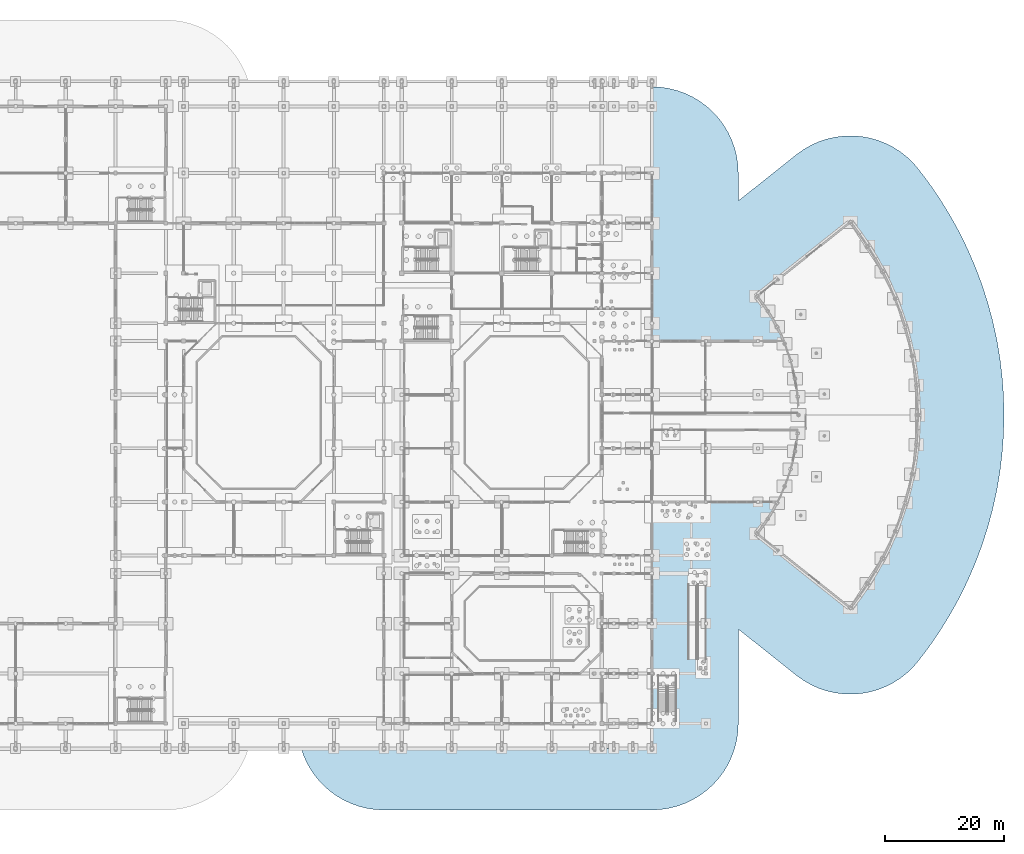
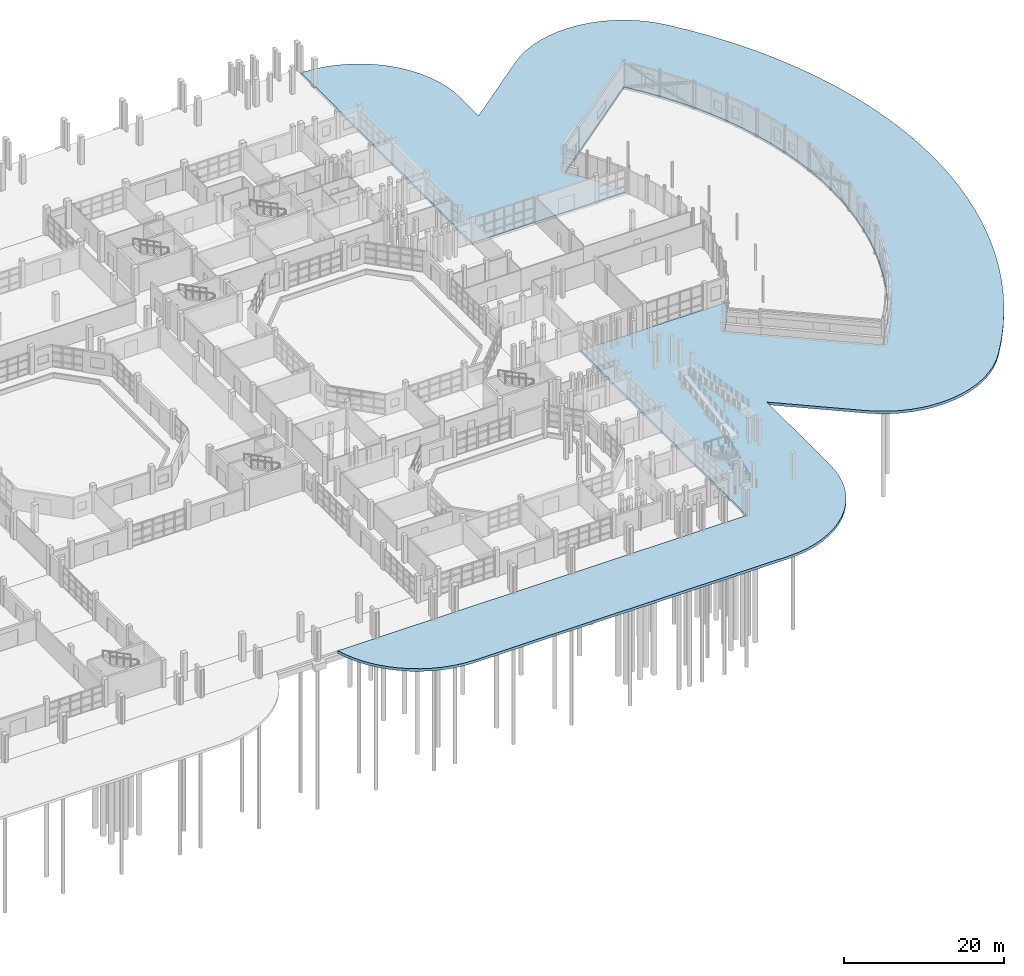
# One storey, part 49 of 88: 1 slab.
"""IFC4 building model written with IfcOpenShell, lengths in metres."""

from ifc_helpers import new_model, si_unit, direction, frame, origin, place, context, subcontext, project, spatial, polyline, outline, extrude, material, layer, layer_set, type_object, element, save


model = new_model("IFC4")

# Units and contexts
model_context = context("Model", 3, precision=1e-05, world=origin(), true_north=direction((0.0, 1.0)))
body_context = subcontext(model_context, "Body", "Model", "MODEL_VIEW")
ifc_project = project(units=[si_unit("LENGTHUNIT", "METRE"), si_unit("AREAUNIT", "SQUARE_METRE"), si_unit("VOLUMEUNIT", "CUBIC_METRE"), si_unit("PLANEANGLEUNIT", "RADIAN"), si_unit("MASSUNIT", "GRAM", prefix="KILO")], contexts=[model_context])

# Site, building, storey
site_placement = place(None, origin())
site = spatial("IfcSite", under=ifc_project, at=site_placement, CompositionType="ELEMENT")
building_placement = place(site_placement, origin())
building = spatial("IfcBuilding", under=site, at=building_placement, Name="Vanh Quang Courtyard School", CompositionType="ELEMENT")
storey_placement = place(building_placement, origin())
storey = spatial("IfcBuildingStorey", under=building, at=storey_placement, Name="L00", CompositionType="ELEMENT", Elevation=0.0)

# Slab
ifc_material = material(Name="Concrete C30/37", Category="concrete")
ifc_layer = layer(ifc_material, 0.39990234375)
ifc_layer_set = layer_set([ifc_layer], Name="Concrete C30/37")
slab_type = type_object("IfcSlabType", Name="SLB-APRON-400", PredefinedType="BASESLAB", material=ifc_layer_set)
slab_placement = place(storey_placement, frame((0.0, 0.0, -0.39990234375)))
element("IfcSlab", 1, at=slab_placement, inside=storey, type_object=slab_type, Name="Slab APR-01 (L00)", PredefinedType="BASESLAB", context=body_context, shape_type="SweptSolid", body=[
    extrude(outline(polyline([(119.39990234375, 111.10009765625), (119.39990234375, 68.39990234375), (141.49169921875, 68.39990234375), (141.060546875, 69.397216796875), (140.38427734375, 70.77587890625), (139.642578125, 72.120849609375), (138.83740234375, 73.428466796875), (137.970458984375, 74.696044921875), (137.04345703125, 75.92041015625), (152.695556640625, 88.370849609375), (154.201904296875, 86.381103515625), (155.61083984375, 84.3212890625), (156.91943359375, 82.1962890625), (158.12451171875, 80.010986328125), (159.223388671875, 77.770263671875), (160.213623046875, 75.4794921875), (161.092529296875, 73.143798828125), (161.858642578125, 70.768798828125), (162.509765625, 68.359619140625), (163.044677734375, 65.922119140625), (163.4619140625, 63.461669921875), (163.760498046875, 60.98388671875), (163.940185546875, 58.494873046875), (164.0, 56.0), (163.940185546875, 53.505126953125), (163.760498046875, 51.01611328125), (163.4619140625, 48.538330078125), (163.044677734375, 46.077880859375), (162.509765625, 43.640380859375), (161.858642578125, 41.231201171875), (161.092529296875, 38.856201171875), (160.213623046875, 36.5205078125), (159.223388671875, 34.229736328125), (158.12451171875, 31.989013671875), (156.91943359375, 29.8037109375), (155.61083984375, 27.6787109375), (154.201904296875, 25.618896484375), (152.695556640625, 23.629150390625), (137.04345703125, 36.07958984375), (137.970458984375, 37.303955078125), (138.83740234375, 38.571533203125), (139.642578125, 39.879150390625), (140.38427734375, 41.22412109375), (140.470703125, 41.39990234375), (119.39990234375, 41.39990234375), (119.39990234375, 0.0), (60.522216796875, 0.0), (61.003662109375, -1.348876953125), (61.612060546875, -2.63525390625), (62.34375, -3.855712890625), (63.19140625, -4.998779296875), (64.14697265625, -6.052978515625), (65.201416015625, -7.0087890625), (66.34423828125, -7.856201171875), (67.564697265625, -8.587890625), (68.85107421875, -9.1962890625), (70.19091796875, -9.675537109375), (71.5712890625, -10.021484375), (72.978759765625, -10.230224609375), (74.39990234375, -10.300048828125), (119.39990234375, -10.300048828125), (120.8212890625, -10.230224609375), (122.228759765625, -10.021484375), (123.609130859375, -9.675537109375), (124.948974609375, -9.1962890625), (126.2353515625, -8.587890625), (127.455810546875, -7.856201171875), (128.5986328125, -7.0087890625), (129.653076171875, -6.052978515625), (130.608642578125, -4.998779296875), (131.456298828125, -3.855712890625), (132.18798828125, -2.63525390625), (132.79638671875, -1.348876953125), (133.275634765625, -0.009033203125), (133.621337890625, 1.37109375), (133.830078125, 2.77880859375), (133.89990234375, 4.199951171875), (133.89990234375, 20.052001953125), (143.669189453125, 12.281494140625), (144.843017578125, 11.439453125), (146.09521484375, 10.718505859375), (147.41259765625, 10.1259765625), (148.78271484375, 9.667236328125), (150.19140625, 9.34716796875), (151.625, 9.168701171875), (153.0693359375, 9.134033203125), (154.510009765625, 9.2431640625), (155.932373046875, 9.4951171875), (157.322998046875, 9.88720703125), (158.667236328125, 10.416015625), (159.95263671875, 11.075927734375), (161.165771484375, 11.8603515625), (162.294921875, 12.76171875), (163.32861328125, 13.770751953125), (164.2568359375, 14.877685546875), (165.76318359375, 16.86767578125), (166.16943359375, 17.431884765625), (167.57861328125, 19.49169921875), (167.9580078125, 20.075927734375), (169.266357421875, 22.200927734375), (169.616455078125, 22.80126953125), (170.82177734375, 24.986572265625), (171.143310546875, 25.6044921875), (172.2421875, 27.84521484375), (172.533203125, 28.4765625), (173.5234375, 30.767333984375), (173.7841796875, 31.4130859375), (174.663330078125, 33.748779296875), (174.892578125, 34.405517578125), (175.65869140625, 36.780517578125), (175.856201171875, 37.447509765625), (176.50732421875, 39.856689453125), (176.6728515625, 40.532958984375), (177.207763671875, 42.970703125), (177.340576171875, 43.6533203125), (177.7578125, 46.11376953125), (177.857666015625, 46.802734375), (178.156494140625, 49.280517578125), (178.222900390625, 49.972900390625), (178.402587890625, 52.462158203125), (178.435791015625, 53.156982421875), (178.495849609375, 55.652099609375), (178.495849609375, 56.347900390625), (178.435791015625, 58.843017578125), (178.402587890625, 59.537841796875), (178.222900390625, 62.027099609375), (178.156494140625, 62.719482421875), (177.857666015625, 65.197265625), (177.7578125, 65.88623046875), (177.340576171875, 68.3466796875), (177.207763671875, 69.029296875), (176.6728515625, 71.467041015625), (176.50732421875, 72.143310546875), (175.856201171875, 74.552490234375), (175.65869140625, 75.219482421875), (174.892578125, 77.594482421875), (174.663330078125, 78.251220703125), (173.7841796875, 80.5869140625), (173.5234375, 81.232666015625), (172.533203125, 83.5234375), (172.2421875, 84.15478515625), (171.143310546875, 86.3955078125), (170.82177734375, 87.013427734375), (169.616455078125, 89.19873046875), (169.266357421875, 89.799072265625), (167.9580078125, 91.924072265625), (167.57861328125, 92.50830078125), (166.16943359375, 94.568115234375), (165.76318359375, 95.13232421875), (164.2568359375, 97.122314453125), (163.32861328125, 98.229248046875), (162.294921875, 99.23828125), (161.165771484375, 100.1396484375), (159.95263671875, 100.924072265625), (158.667236328125, 101.583984375), (157.322998046875, 102.11279296875), (155.932373046875, 102.5048828125), (154.510009765625, 102.7568359375), (153.0693359375, 102.865966796875), (151.625, 102.831298828125), (150.19140625, 102.65283203125), (148.78271484375, 102.332763671875), (147.41259765625, 101.8740234375), (146.09521484375, 101.281494140625), (144.843017578125, 100.560546875), (143.669189453125, 99.718505859375), (133.89990234375, 91.947998046875), (133.89990234375, 96.60009765625), (133.830078125, 98.021240234375), (133.621337890625, 99.4287109375), (133.275634765625, 100.80908203125), (132.79638671875, 102.14892578125), (132.18798828125, 103.435302734375), (131.456298828125, 104.65576171875), (130.608642578125, 105.798583984375), (129.653076171875, 106.85302734375), (128.5986328125, 107.80859375), (127.455810546875, 108.65625), (126.2353515625, 109.387939453125), (124.948974609375, 109.996337890625), (123.609130859375, 110.4755859375), (122.228759765625, 110.8212890625), (120.8212890625, 111.0302734375), (119.39990234375, 111.10009765625)])), origin(), (0.0, 0.0, 1.0), 0.39990234375),
])

save(model, "model.ifc")
